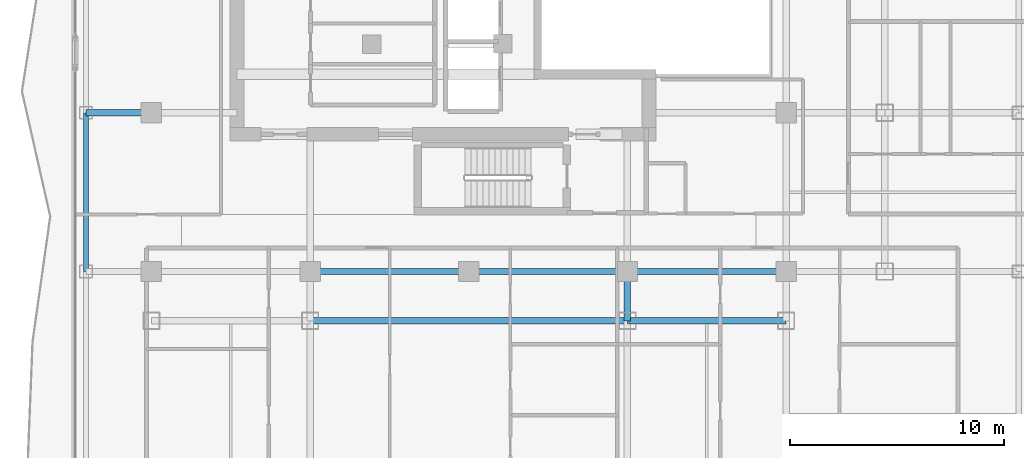
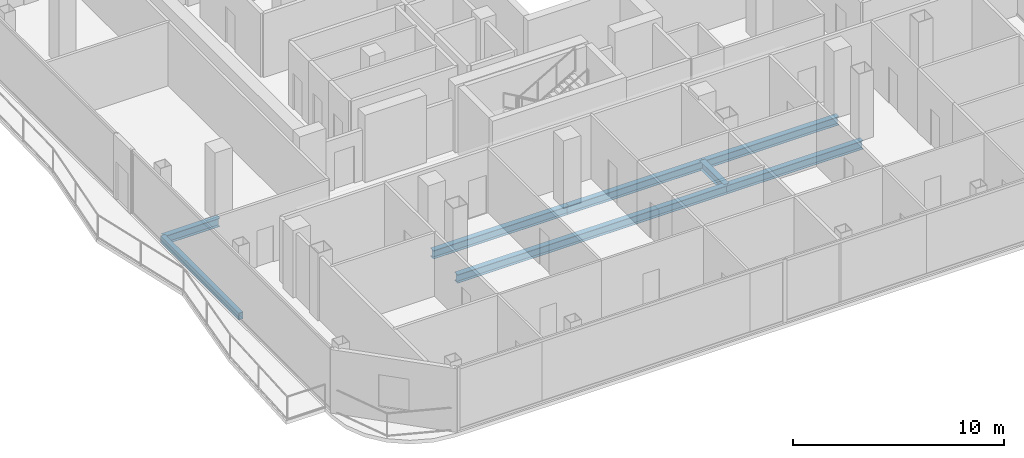
# One storey, part 5 of 27: 8 beams.
"""IFC4 building model written with IfcOpenShell, lengths in metres."""

from ifc_helpers import new_model, si_unit, direction, frame, origin, origin_2d, place, context, subcontext, project, spatial, hollow_rectangle, i_section, extrude, material, material_profile, profile_set, type_object, element, save


model = new_model("IFC4")

# Units and contexts
model_context = context("Model", 3, precision=1e-05, world=origin(), true_north=direction((0.0, 1.0)))
body_context = subcontext(model_context, "Body", "Model", "MODEL_VIEW")
ifc_project = project(units=[si_unit("LENGTHUNIT", "METRE"), si_unit("AREAUNIT", "SQUARE_METRE"), si_unit("VOLUMEUNIT", "CUBIC_METRE"), si_unit("PLANEANGLEUNIT", "RADIAN"), si_unit("MASSUNIT", "GRAM", prefix="KILO")], contexts=[model_context])

# Site, building, storey
site_placement = place(None, origin())
site = spatial("IfcSite", under=ifc_project, at=site_placement, CompositionType="ELEMENT")
building_placement = place(site_placement, origin())
building = spatial("IfcBuilding", under=site, at=building_placement, Name="Khorvyn Point Tower", CompositionType="ELEMENT")
storey_placement = place(building_placement, frame((0.0, 0.0, 243.0)))
storey = spatial("IfcBuildingStorey", under=building, at=storey_placement, Name="L59", CompositionType="ELEMENT", Elevation=243.0)

# Beams
ifc_material = material(Name="Steel S355", Category="steel")
ifc_material_profile_1 = material_profile(ifc_material, i_section(OverallWidth=0.300048828125, OverallDepth=0.488037109375, WebThickness=0.010986328125, FlangeThickness=0.01806640625, at=origin_2d()))
ifc_profile_set_1 = profile_set([ifc_material_profile_1], Name="Steel S355 H488x300x11x18")
beam_type_1 = type_object("IfcBeamType", Name="Steel S355 Spandrel H488x300x11x18", PredefinedType="SPANDREL", material=ifc_profile_set_1)
for number, where, z_axis, x_axis, name in (
    (1, (-7.39990234375, -14.800048828125, -0.464111328125), (1.0, 0.0, 0.0), (0.0, 1.0, 0.0), "Beam"),
    (2, (0.0, -14.800048828125, -0.464111328125), (1.0, 0.0, 0.0), (0.0, 1.0, 0.0), "Beam"),
):
    element("IfcBeam", number, at=place(storey_placement, frame(where, z_axis=z_axis, x_axis=x_axis)), inside=storey, type_object=beam_type_1, Name=name, PredefinedType="SPANDREL", context=body_context, shape_type="SweptSolid", body=[
        extrude(i_section(OverallWidth=0.300048828125, OverallDepth=0.488037109375, WebThickness=0.010986328125, FlangeThickness=0.01806640625, at=origin_2d()), origin(), (0.0, 0.0, 1.0), 7.39990234375),
    ])
beam_1_placement = place(storey_placement, frame((7.39990234375, -14.800048828125, -0.464111328125), z_axis=(1.0, 0.0, 0.0), x_axis=(0.0, 1.0, 0.0)))
element("IfcBeam", 3, at=beam_1_placement, inside=storey, type_object=beam_type_1, Name="Beam", PredefinedType="SPANDREL", context=body_context, shape_type="SweptSolid", body=[
    extrude(i_section(OverallWidth=0.300048828125, OverallDepth=0.488037109375, WebThickness=0.010986328125, FlangeThickness=0.01806640625, at=origin_2d()), origin(), (0.0, 0.0, 1.0), 7.400146484375),
])
beam_2_placement = place(storey_placement, frame((-17.85009765625, -7.39990234375, -0.464111328125), z_axis=(1.0, 0.0, 0.0), x_axis=(0.0, 1.0, 0.0)))
element("IfcBeam", 4, at=beam_2_placement, inside=storey, type_object=beam_type_1, Name="Beam", PredefinedType="SPANDREL", context=body_context, shape_type="SweptSolid", body=[
    extrude(i_section(OverallWidth=0.300048828125, OverallDepth=0.488037109375, WebThickness=0.010986328125, FlangeThickness=0.01806640625, at=origin_2d()), origin(), (0.0, 0.0, 1.0), 3.050048828125),
])
beam_3_placement = place(storey_placement, frame((-7.39990234375, -17.10009765625, -0.464111328125), z_axis=(1.0, 0.0, 0.0), x_axis=(0.0, 1.0, 0.0)))
element("IfcBeam", 5, at=beam_3_placement, inside=storey, type_object=beam_type_1, Name="Beam", PredefinedType="SPANDREL", context=body_context, shape_type="SweptSolid", body=[
    extrude(i_section(OverallWidth=0.300048828125, OverallDepth=0.488037109375, WebThickness=0.010986328125, FlangeThickness=0.01806640625, at=origin_2d()), origin(), (0.0, 0.0, 1.0), 14.7998046875),
])
beam_4_placement = place(storey_placement, frame((7.39990234375, -17.10009765625, -0.464111328125), z_axis=(1.0, 0.0, 0.0), x_axis=(0.0, 1.0, 0.0)))
element("IfcBeam", 6, at=beam_4_placement, inside=storey, type_object=beam_type_1, Name="Beam", PredefinedType="SPANDREL", context=body_context, shape_type="SweptSolid", body=[
    extrude(i_section(OverallWidth=0.300048828125, OverallDepth=0.488037109375, WebThickness=0.010986328125, FlangeThickness=0.01806640625, at=origin_2d()), origin(), (0.0, 0.0, 1.0), 7.400146484375),
])
beam_5_placement = place(storey_placement, frame((7.39990234375, -17.10009765625, -0.464111328125), z_axis=(0.0, 1.0, 0.0), x_axis=(-1.0, 0.0, 0.0)))
element("IfcBeam", 7, at=beam_5_placement, inside=storey, type_object=beam_type_1, Name="Beam", PredefinedType="SPANDREL", context=body_context, shape_type="SweptSolid", body=[
    extrude(i_section(OverallWidth=0.300048828125, OverallDepth=0.488037109375, WebThickness=0.010986328125, FlangeThickness=0.01806640625, at=origin_2d()), origin(), (0.0, 0.0, 1.0), 2.300048828125),
])
ifc_material_profile_2 = material_profile(ifc_material, hollow_rectangle(XDim=0.25, YDim=0.39990234375, WallThickness=0.01611328125, at=origin_2d()))
ifc_profile_set_2 = profile_set([ifc_material_profile_2], Name="Steel S355 RHS400x250x16")
beam_type_2 = type_object("IfcBeamType", Name="Steel S355 Spandrel RHS400x250x16", PredefinedType="SPANDREL", material=ifc_profile_set_2)
beam_6_placement = place(storey_placement, frame((-17.85009765625, -14.800048828125, -0.419921875), z_axis=(0.0, 1.0, 0.0), x_axis=(-1.0, 0.0, 0.0)))
element("IfcBeam", 8, at=beam_6_placement, inside=storey, type_object=beam_type_2, Name="Beam", PredefinedType="SPANDREL", context=body_context, shape_type="SweptSolid", body=[
    extrude(hollow_rectangle(XDim=0.25, YDim=0.39990234375, WallThickness=0.01611328125, at=origin_2d()), origin(), (0.0, 0.0, 1.0), 7.400146484375),
])

save(model, "model.ifc")
